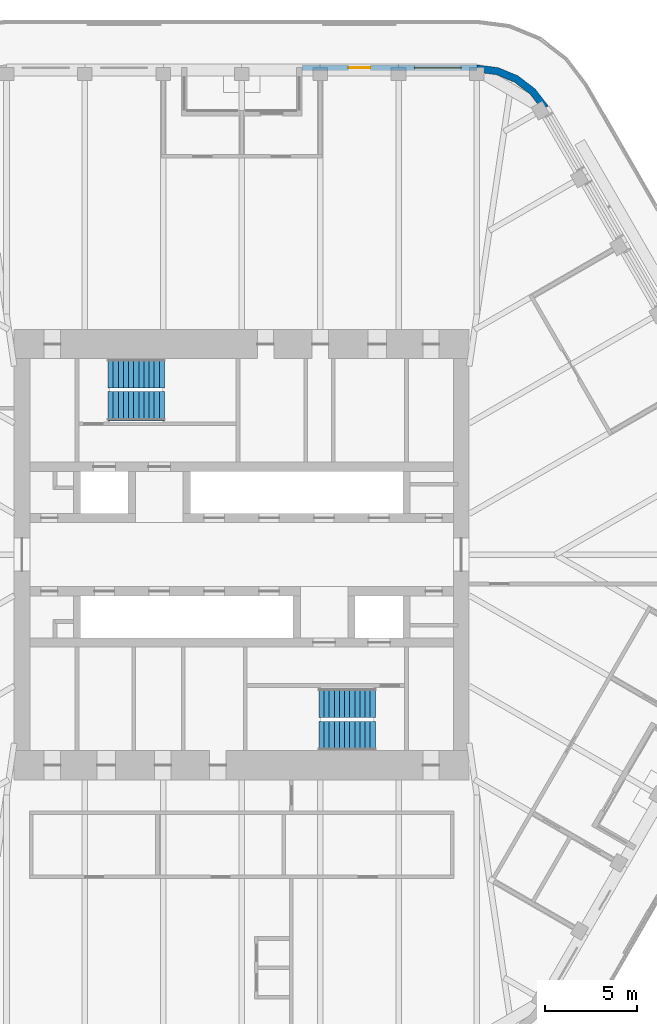
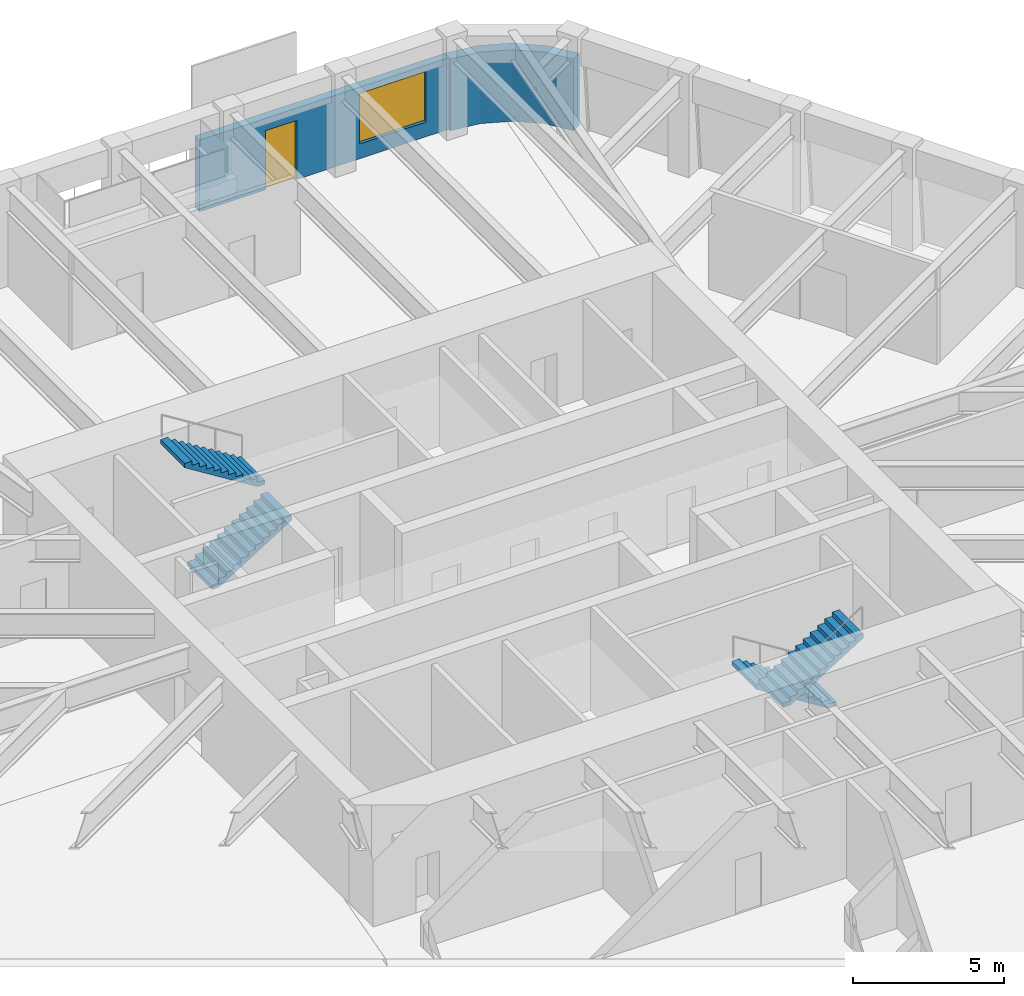
# One storey, part 17 of 20: 4 stair flights, 2 walls, 1 door, 1 window, 2 openings, 2 elements without a shape of their own.
"""IFC4 building model written with IfcOpenShell, lengths in metres."""

from ifc_helpers import new_model, si_unit, direction, frame, frame_2d, origin, place, context, subcontext, project, spatial, polyline, rectangle, outline, extrude, material, layer, layer_set, type_object, element, fill, aggregate, save


model = new_model("IFC4")

# Units and contexts
model_context = context("Model", 3, precision=1e-05, world=origin(), true_north=direction((0.0, 1.0)))
body_context = subcontext(model_context, "Body", "Model", "MODEL_VIEW")
ifc_project = project(units=[si_unit("LENGTHUNIT", "METRE"), si_unit("AREAUNIT", "SQUARE_METRE"), si_unit("VOLUMEUNIT", "CUBIC_METRE"), si_unit("PLANEANGLEUNIT", "RADIAN"), si_unit("MASSUNIT", "GRAM", prefix="KILO")], contexts=[model_context])

# Site, building, storey
site_placement = place(None, origin())
site = spatial("IfcSite", under=ifc_project, at=site_placement, CompositionType="ELEMENT")
building_placement = place(site_placement, origin())
building = spatial("IfcBuilding", under=site, at=building_placement, Name="Tarfa Lantern Tower", CompositionType="ELEMENT")
storey_placement = place(building_placement, frame((0.0, 0.0, 378.699951171875)))
storey = spatial("IfcBuildingStorey", under=building, at=storey_placement, Name="L86", CompositionType="ELEMENT", Elevation=378.699951171875)

# Wall, openings, door, window
ifc_material_1 = material(Name="Limestone cladding on blockwork", Category="masonry")
ifc_layer_1 = layer(ifc_material_1, 0.300048828125)
ifc_layer_set_1 = layer_set([ifc_layer_1], Name="EW1 STONE-CLAD WALL 300")
wall_type_1 = type_object("IfcWallType", Name="EW1 STONE-CLAD WALL 300", PredefinedType="SOLIDWALL", material=ifc_layer_set_1)
wall_1_placement = place(storey_placement, frame((12.845947265625, 26.60009765625, 0.0), z_axis=(0.0, 0.0, 1.0), x_axis=(-1.0, 0.0, 0.0)))
wall_1 = element("IfcWall", 1, at=wall_1_placement, inside=storey, type_object=wall_type_1, Name="Stone wall N", PredefinedType="SOLIDWALL", context=body_context, shape_type="SweptSolid", body=[
    extrude(rectangle(XDim=9.56396484375, YDim=0.300048828125, at=frame_2d((4.781982421875, 0.0))), origin(), (0.0, 0.0, 1.0), 2.900146484375),
])
opening_1_placement = place(wall_1_placement, frame((0.865966796875, 0.0, 0.60009765625)))
opening_1 = element("IfcOpeningElement", 2, at=opening_1_placement, cuts=wall_1, Name="Opening W17", PredefinedType="OPENING", context=body_context, shape_type="SweptSolid", body=[
    extrude(rectangle(XDim=2.550048828125, YDim=2.050048828125, at=frame_2d((1.27490234375, 1.02490234375))), frame((0.0, 0.159912109375, 0.0), z_axis=(0.0, -1.0, 0.0), x_axis=(1.0, 0.0, 0.0)), (0.0, 0.0, 1.0), 0.320068359375),
])
opening_2_placement = place(wall_1_placement, frame((5.822998046875, 0.0, 0.0)))
opening_2 = element("IfcOpeningElement", 3, at=opening_2_placement, cuts=wall_1, Name="Opening D39", PredefinedType="OPENING", context=body_context, shape_type="SweptSolid", body=[
    extrude(rectangle(XDim=1.199951171875, YDim=2.39990234375, at=frame_2d((0.60009765625, 1.199951171875))), frame((0.0, 0.159912109375, 0.0), z_axis=(0.0, -1.0, 0.0), x_axis=(1.0, 0.0, 0.0)), (0.0, 0.0, 1.0), 0.320068359375),
])
ifc_material_2 = material(Name="Aluminium framed glazed door", Category="aluminium")
door_type = type_object("IfcDoorType", Name="BE3 BALCONY DOOR 1200x2400", OperationType="SINGLE_SWING_RIGHT", PredefinedType="DOOR", material=ifc_material_2)
door_placement = place(opening_2_placement, origin())
door = element("IfcDoor", 4, at=door_placement, inside=storey, type_object=door_type, Name="Balcony door N", OperationType="SINGLE_SWING_LEFT", OverallHeight=2.39990234375, OverallWidth=1.199951171875, PredefinedType="DOOR", context=body_context, shape_type="SweptSolid", body=[
    extrude(rectangle(XDim=1.199951171875, YDim=2.39990234375, at=frame_2d((0.60009765625, 1.199951171875))), frame((0.0, 0.02490234375, 0.0), z_axis=(0.0, -1.0, 0.0), x_axis=(1.0, 0.0, 0.0)), (0.0, 0.0, 1.0), 0.050048828125),
])
fill(opening_2, door)
ifc_material_3 = material(Name="Aluminium frame, double glazed", Category="aluminium")
window_type = type_object("IfcWindowType", Name="W17 FULL-HEIGHT GLAZING 2550x2050", PartitioningType="SINGLE_PANEL", PredefinedType="WINDOW", material=ifc_material_3)
window_placement = place(opening_1_placement, origin())
window = element("IfcWindow", 5, at=window_placement, inside=storey, type_object=window_type, Name="Window N 1", OverallHeight=2.050048828125, OverallWidth=2.550048828125, PartitioningType="SINGLE_PANEL", PredefinedType="WINDOW", context=body_context, shape_type="SweptSolid", body=[
    extrude(rectangle(XDim=2.550048828125, YDim=2.050048828125, at=frame_2d((1.27490234375, 1.02490234375))), frame((0.0, 0.030029296875, 0.0), z_axis=(0.0, -1.0, 0.0), x_axis=(1.0, 0.0, 0.0)), (0.0, 0.0, 1.0), 0.06005859375),
])
fill(opening_1, window)

# Wall
ifc_layer_2 = layer(ifc_material_1, 0.39990234375)
ifc_layer_set_2 = layer_set([ifc_layer_2], Name="EW2 CURVED STONE CORNER 400")
wall_type_2 = type_object("IfcWallType", Name="EW2 CURVED STONE CORNER 400", PredefinedType="SOLIDWALL", material=ifc_layer_set_2)
wall_2_placement = place(storey_placement, origin())
element("IfcWall", 6, at=wall_2_placement, inside=storey, type_object=wall_type_2, Name="Stone corner NE-N", PredefinedType="SOLIDWALL", context=body_context, shape_type="SweptSolid", body=[
    extrude(outline(polyline([(16.7431640625, 24.5), (16.028076171875, 25.431884765625), (15.095947265625, 26.147216796875), (14.0107421875, 26.5966796875), (12.845947265625, 26.75), (12.845947265625, 26.35009765625), (13.9072265625, 26.210205078125), (14.89599609375, 25.80078125), (15.7451171875, 25.149169921875), (16.396728515625, 24.300048828125), (16.7431640625, 24.5)])), origin(), (0.0, 0.0, 1.0), 2.900146484375),
])

# Stair, stair flights
ifc_material_4 = material(Name="Concrete C40/50", Category="concrete")
stair_type = type_object("IfcStairType", Name="ST-T10 HALF-TURN STAIR 4200 RISE", PredefinedType="HALF_TURN_STAIR", material=ifc_material_4)
stair_1_placement = place(storey_placement, origin())
stair_1 = element("IfcStair", 7, at=stair_1_placement, inside=storey, type_object=stair_type, Name="Stair ST1", PredefinedType="HALF_TURN_STAIR")
stair_flight_type = type_object("IfcStairFlightType", Name="SF1 STAIR FLIGHT", PredefinedType="STRAIGHT", material=ifc_material_4)
stair_flight_1_placement = place(storey_placement, frame((-7.300048828125, 8.10009765625, 0.0), z_axis=(0.0, 0.0, 1.0), x_axis=(1.0, 0.0, 0.0)))
stair_flight_1 = element("IfcStairFlight", 8, at=stair_flight_1_placement, type_object=stair_flight_type, Name="ST1 flight 1", NumberOfRisers=12, NumberOfTreads=11, PredefinedType="STRAIGHT", RiserHeight=0.175, TreadLength=0.28, context=body_context, shape_type="SweptSolid", body=[
    extrude(outline(polyline([(0.0, 0.0), (0.0, 0.175048828125), (0.280029296875, 0.175048828125), (0.280029296875, 0.35009765625), (0.56005859375, 0.35009765625), (0.56005859375, 0.52490234375), (0.840087890625, 0.52490234375), (0.840087890625, 0.699951171875), (1.1201171875, 0.699951171875), (1.1201171875, 0.875), (1.39990234375, 0.875), (1.39990234375, 1.050048828125), (1.679931640625, 1.050048828125), (1.679931640625, 1.22509765625), (1.9599609375, 1.22509765625), (1.9599609375, 1.39990234375), (2.239990234375, 1.39990234375), (2.239990234375, 1.574951171875), (2.52001953125, 1.574951171875), (2.52001953125, 1.75), (2.800048828125, 1.75), (2.800048828125, 1.925048828125), (3.080078125, 1.925048828125), (3.080078125, 2.10009765625), (3.080078125, 1.748291015625), (0.28271484375, 0.0), (0.0, 0.0)])), frame((0.0, 0.800048828125, 0.0), z_axis=(0.0, -1.0, 0.0), x_axis=(1.0, 0.0, 0.0)), (0.0, 0.0, 1.0), 1.60009765625),
])
stair_flight_2_placement = place(storey_placement, frame((-4.219970703125, 9.89990234375, 2.10009765625), z_axis=(0.0, 0.0, 1.0), x_axis=(-1.0, 0.0, 0.0)))
stair_flight_2 = element("IfcStairFlight", 9, at=stair_flight_2_placement, type_object=stair_flight_type, Name="ST1 flight 2", NumberOfRisers=12, NumberOfTreads=11, PredefinedType="STRAIGHT", RiserHeight=0.175, TreadLength=0.28, context=body_context, shape_type="SweptSolid", body=[
    extrude(outline(polyline([(0.0, 0.0), (0.0, 0.175048828125), (0.280029296875, 0.175048828125), (0.280029296875, 0.35009765625), (0.56005859375, 0.35009765625), (0.56005859375, 0.52490234375), (0.840087890625, 0.52490234375), (0.840087890625, 0.699951171875), (1.1201171875, 0.699951171875), (1.1201171875, 0.875), (1.39990234375, 0.875), (1.39990234375, 1.050048828125), (1.679931640625, 1.050048828125), (1.679931640625, 1.22509765625), (1.9599609375, 1.22509765625), (1.9599609375, 1.39990234375), (2.239990234375, 1.39990234375), (2.239990234375, 1.574951171875), (2.52001953125, 1.574951171875), (2.52001953125, 1.75), (2.800048828125, 1.75), (2.800048828125, 1.925048828125), (3.080078125, 1.925048828125), (3.080078125, 2.10009765625), (3.080078125, 1.748291015625), (0.28271484375, 0.0), (0.0, 0.0)])), frame((0.0, 0.800048828125, 0.0), z_axis=(0.0, -1.0, 0.0), x_axis=(1.0, 0.0, 0.0)), (0.0, 0.0, 1.0), 1.60009765625),
])
aggregate(stair_1, [stair_flight_1, stair_flight_2])

stair_2_placement = place(storey_placement, origin())
stair_2 = element("IfcStair", 10, at=stair_2_placement, inside=storey, type_object=stair_type, Name="Stair ST2", PredefinedType="HALF_TURN_STAIR")
stair_flight_3_placement = place(storey_placement, frame((7.300048828125, -8.10009765625, 0.0), z_axis=(0.0, 0.0, 1.0), x_axis=(-1.0, 0.0, 0.0)))
stair_flight_3 = element("IfcStairFlight", 11, at=stair_flight_3_placement, type_object=stair_flight_type, Name="ST2 flight 1", NumberOfRisers=12, NumberOfTreads=11, PredefinedType="STRAIGHT", RiserHeight=0.175, TreadLength=0.28, context=body_context, shape_type="SweptSolid", body=[
    extrude(outline(polyline([(0.0, 0.0), (0.0, 0.175048828125), (0.280029296875, 0.175048828125), (0.280029296875, 0.35009765625), (0.56005859375, 0.35009765625), (0.56005859375, 0.52490234375), (0.840087890625, 0.52490234375), (0.840087890625, 0.699951171875), (1.1201171875, 0.699951171875), (1.1201171875, 0.875), (1.39990234375, 0.875), (1.39990234375, 1.050048828125), (1.679931640625, 1.050048828125), (1.679931640625, 1.22509765625), (1.9599609375, 1.22509765625), (1.9599609375, 1.39990234375), (2.239990234375, 1.39990234375), (2.239990234375, 1.574951171875), (2.52001953125, 1.574951171875), (2.52001953125, 1.75), (2.800048828125, 1.75), (2.800048828125, 1.925048828125), (3.080078125, 1.925048828125), (3.080078125, 2.10009765625), (3.080078125, 1.748291015625), (0.28271484375, 0.0), (0.0, 0.0)])), frame((0.0, 0.800048828125, 0.0), z_axis=(0.0, -1.0, 0.0), x_axis=(1.0, 0.0, 0.0)), (0.0, 0.0, 1.0), 1.60009765625),
])
stair_flight_4_placement = place(storey_placement, frame((4.219970703125, -9.89990234375, 2.10009765625), z_axis=(0.0, 0.0, 1.0), x_axis=(1.0, 0.0, 0.0)))
stair_flight_4 = element("IfcStairFlight", 12, at=stair_flight_4_placement, type_object=stair_flight_type, Name="ST2 flight 2", NumberOfRisers=12, NumberOfTreads=11, PredefinedType="STRAIGHT", RiserHeight=0.175, TreadLength=0.28, context=body_context, shape_type="SweptSolid", body=[
    extrude(outline(polyline([(0.0, 0.0), (0.0, 0.175048828125), (0.280029296875, 0.175048828125), (0.280029296875, 0.35009765625), (0.56005859375, 0.35009765625), (0.56005859375, 0.52490234375), (0.840087890625, 0.52490234375), (0.840087890625, 0.699951171875), (1.1201171875, 0.699951171875), (1.1201171875, 0.875), (1.39990234375, 0.875), (1.39990234375, 1.050048828125), (1.679931640625, 1.050048828125), (1.679931640625, 1.22509765625), (1.9599609375, 1.22509765625), (1.9599609375, 1.39990234375), (2.239990234375, 1.39990234375), (2.239990234375, 1.574951171875), (2.52001953125, 1.574951171875), (2.52001953125, 1.75), (2.800048828125, 1.75), (2.800048828125, 1.925048828125), (3.080078125, 1.925048828125), (3.080078125, 2.10009765625), (3.080078125, 1.748291015625), (0.28271484375, 0.0), (0.0, 0.0)])), frame((0.0, 0.800048828125, 0.0), z_axis=(0.0, -1.0, 0.0), x_axis=(1.0, 0.0, 0.0)), (0.0, 0.0, 1.0), 1.60009765625),
])
aggregate(stair_2, [stair_flight_3, stair_flight_4])

save(model, "model.ifc")
